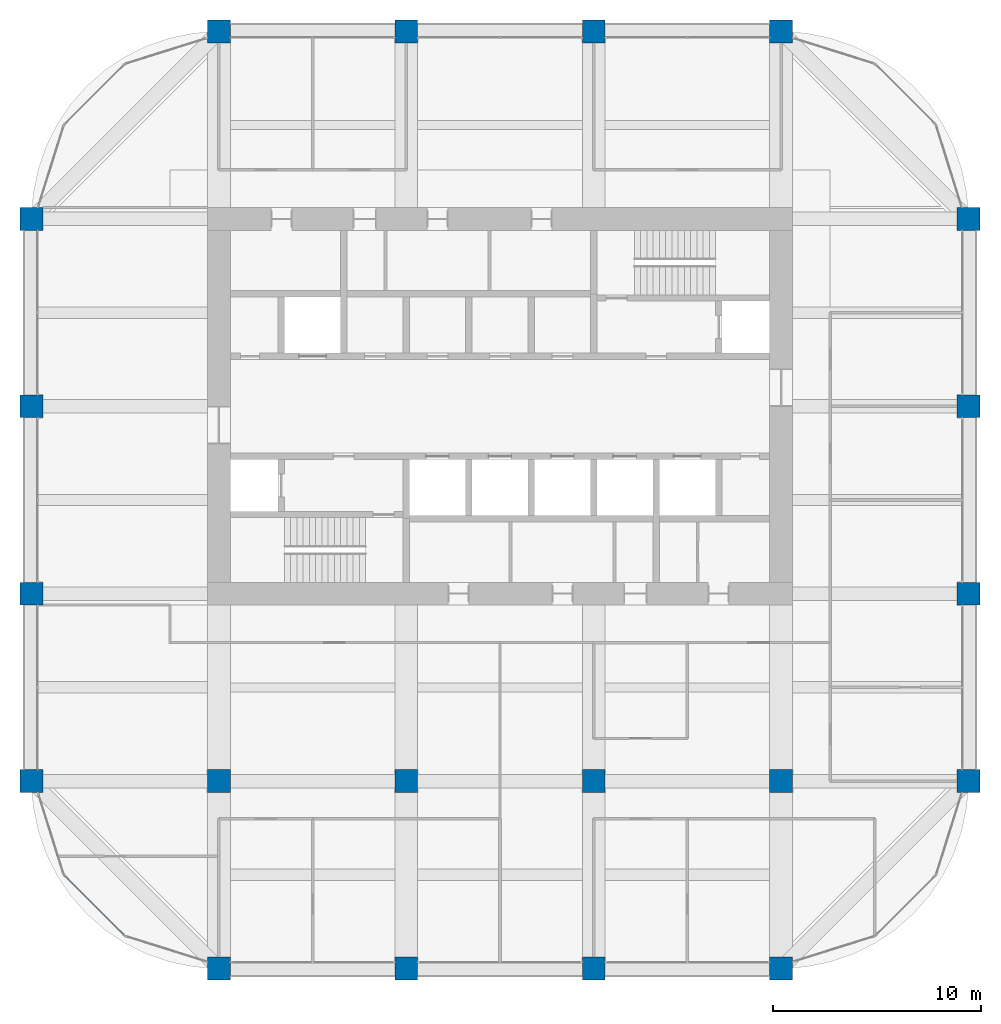
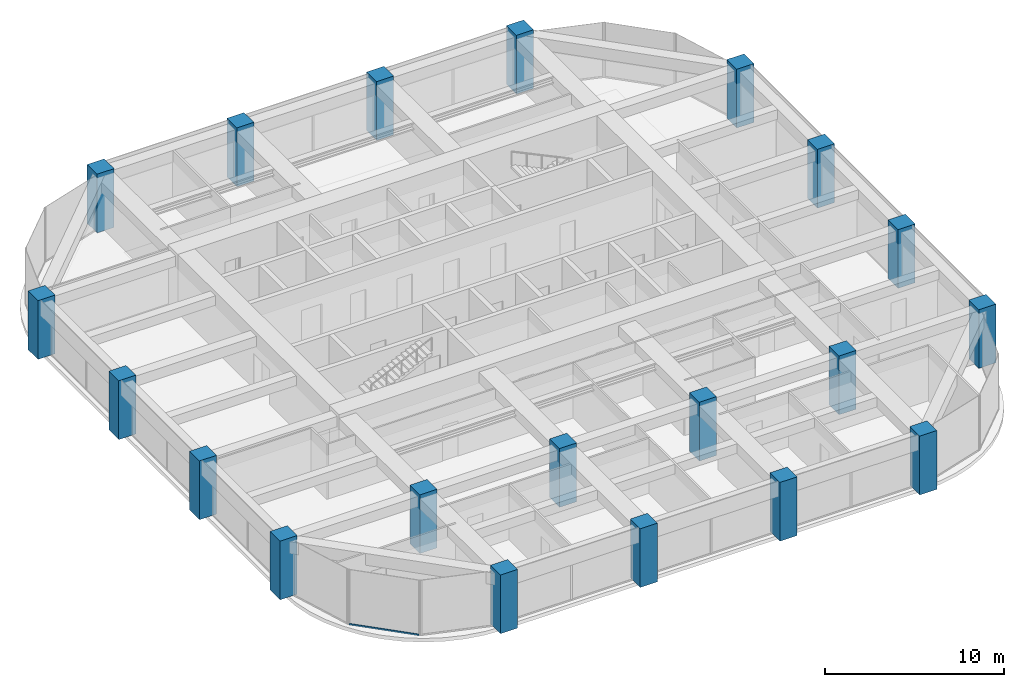
# One storey, part 1 of 44: 20 columns, 1 member, 1 element without a shape of its own.
"""IFC4 building model written with IfcOpenShell, lengths in metres."""

import ifcopenshell
import ifcopenshell.guid

model = None  # the IFC model being written
_history = None  # IfcOwnerHistory: only IFC2X3 demands one
_inside = {}  # id of a spatial element -> (the spatial element, [elements in it])
_under = {}  # id of a project, library or spatial element -> (it, [spatial elements below it])
_declared = {}  # id of a project -> (the project, [libraries it declares])
_typed = {}  # id of a type object -> (the type object, [elements of that type])
_made_of = {}  # id of a material, layer set ... -> (it, [elements and type objects made of it])


def new_model(schema):
    """Start an empty IFC model of exactly this schema.

    Asked for "IFC4X3", IfcOpenShell would pick the latest addendum, in which some entities
    have other attributes; the version numbers below select the first issue.
    IFC2X3 requires an IfcOwnerHistory on every rooted entity: one is made here for all.
    """
    global model, _history
    if schema == "IFC4X3":
        model = ifcopenshell.file(schema_version=(4, 3, 0, 0))
    else:
        model = ifcopenshell.file(schema=schema)
    _inside.clear()
    _under.clear()
    _declared.clear()
    _typed.clear()
    _made_of.clear()
    _history = None
    if model.schema == "IFC2X3":
        org = make("IfcOrganization", Name="unknown")
        user = make(
            "IfcPersonAndOrganization",
            ThePerson=make("IfcPerson", FamilyName="unknown"),
            TheOrganization=org,
        )
        app = make(
            "IfcApplication",
            ApplicationDeveloper=org,
            Version="unknown",
            ApplicationFullName="unknown",
            ApplicationIdentifier="unknown",
        )
        _history = make(
            "IfcOwnerHistory",
            OwningUser=user,
            OwningApplication=app,
            ChangeAction="ADDED",
            CreationDate=0,
        )
    return model


def make(cls, **values):
    """One entity of the class cls with the attributes given. An attribute that is None is left unset."""
    return model.create_entity(
        cls, **{name: value for name, value in values.items() if value is not None}
    )


def rooted(cls, **values):
    """An entity with a GlobalId (a new one), such as an element, a storey or a relation."""
    return make(cls, GlobalId=ifcopenshell.guid.new(), OwnerHistory=_history, **values)


def si_unit(unit_type, name, prefix=None):
    """IfcSIUnit, for example si_unit("LENGTHUNIT", "METRE", prefix="MILLI")."""
    return make("IfcSIUnit", UnitType=unit_type, Prefix=prefix, Name=name)


def assignment(units):
    """IfcUnitAssignment: the units of a project."""
    return None if units is None else make("IfcUnitAssignment", Units=units)


def point(xyz):
    """IfcCartesianPoint."""
    return None if xyz is None else make("IfcCartesianPoint", Coordinates=xyz)


def direction(xyz):
    """IfcDirection."""
    return None if xyz is None else make("IfcDirection", DirectionRatios=xyz)


def frame(location, z_axis=None, x_axis=None):
    """IfcAxis2Placement3D, a coordinate frame: its origin and axes. An axis left out is left unset."""
    return make(
        "IfcAxis2Placement3D",
        Location=point(location),
        Axis=direction(z_axis),
        RefDirection=direction(x_axis),
    )


def frame_2d(location, x_axis=None):
    """IfcAxis2Placement2D, a coordinate frame in the plane: its origin and x axis."""
    return make(
        "IfcAxis2Placement2D", Location=point(location), RefDirection=direction(x_axis)
    )


def origin():
    """The frame at (0, 0, 0) with its axes left unset."""
    return frame((0.0, 0.0, 0.0))


def origin_2d():
    """The frame at (0, 0) in the plane with its x axis left unset."""
    return frame_2d((0.0, 0.0))


def place(relative_to, where):
    """IfcLocalPlacement: puts the frame where relative to a parent placement (None: the world)."""
    return make(
        "IfcLocalPlacement", PlacementRelTo=relative_to, RelativePlacement=where
    )


def context(
    kind, dimensions, precision=None, world=None, true_north=None, identifier=None
):
    """IfcGeometricRepresentationContext, for example the 3D "Model" context."""
    return make(
        "IfcGeometricRepresentationContext",
        ContextIdentifier=identifier,
        ContextType=kind,
        CoordinateSpaceDimension=dimensions,
        Precision=precision,
        WorldCoordinateSystem=world,
        TrueNorth=true_north,
    )


def subcontext(parent, identifier, kind, view, scale=None):
    """IfcGeometricRepresentationSubContext, for example "Body" below "Model"."""
    return make(
        "IfcGeometricRepresentationSubContext",
        ContextIdentifier=identifier,
        ContextType=kind,
        ParentContext=parent,
        TargetScale=scale,
        TargetView=view,
    )


def project(units=None, contexts=None):
    """IfcProject with its units and contexts."""
    return rooted(
        "IfcProject",
        Name="project",
        RepresentationContexts=contexts,
        UnitsInContext=assignment(units),
    )


def spatial(cls, under=None, at=None, **own):
    """A site, building, storey or space (cls), placed at a placement, below another one or the project."""
    s = rooted(cls, ObjectPlacement=at, **own)
    if under is not None:
        _under.setdefault(under.id(), (under, []))[1].append(s)
    return s


def profile(cls, at=None, kind="AREA", **sizes):
    """A parametric profile (cls). Its sizes go by their IFC names, for example OverallWidth=200.0."""
    return make(cls, ProfileType=kind, Position=at, **sizes)


def rectangle(**sizes):
    """IfcRectangleProfileDef."""
    return profile("IfcRectangleProfileDef", **sizes)


def hollow_rectangle(**sizes):
    """IfcRectangleHollowProfileDef."""
    return profile("IfcRectangleHollowProfileDef", **sizes)


def extrude(swept, where, along, depth):
    """IfcExtrudedAreaSolid: the profile swept, set in the frame where, extruded along a direction by depth."""
    return make(
        "IfcExtrudedAreaSolid",
        SweptArea=swept,
        Position=where,
        ExtrudedDirection=direction(along),
        Depth=depth,
    )


def shape(context_of_items, identifier, shape_type, items):
    """IfcShapeRepresentation: the items that make up one representation, for example the "Body"."""
    return make(
        "IfcShapeRepresentation",
        ContextOfItems=context_of_items,
        RepresentationIdentifier=identifier,
        RepresentationType=shape_type,
        Items=items,
    )


def material(Name=None, Category=None):
    """IfcMaterial."""
    return make("IfcMaterial", Name=Name, Category=Category)


def material_profile(
    of_material, cross_section, Name=None, Category=None, Priority=None
):
    """IfcMaterialProfile: a cross section and its material."""
    return make(
        "IfcMaterialProfile",
        Name=Name,
        Material=of_material,
        Profile=cross_section,
        Priority=Priority,
        Category=Category,
    )


def profile_set(profiles, Name=None, composite=None):
    """IfcMaterialProfileSet."""
    return make(
        "IfcMaterialProfileSet",
        Name=Name,
        MaterialProfiles=profiles,
        CompositeProfile=composite,
    )


def made_of(thing, what):
    """Note that an element or type object is made of a material, layer set ...; save() writes the relation."""
    if what is not None:
        _made_of.setdefault(what.id(), (what, []))[1].append(thing)
    return thing


def type_object(cls, material=None, **own):
    """A type object (cls), such as IfcWallType, which elements share."""
    return made_of(rooted(cls, **own), material)


def element(
    cls,
    number,
    at=None,
    inside=None,
    cuts=None,
    type_object=None,
    material=None,
    context=None,
    identifier="Body",
    shape_type=None,
    held_by="IfcProductDefinitionShape",
    body=None,
    shapes=None,
    **own,
):
    """One element of the class cls, such as IfcWall. Its Tag is "e" and its number.

    at: its placement. inside: the storey or other place that contains it. cuts: it is an
    opening in that element (IfcRelVoidsElement). A single representation is given by context,
    identifier, shape_type and body (its items); several are given by shapes. held_by: the class
    of the entity that holds the representations. save() writes the other relations.
    """
    e = rooted(cls, Tag="e%d" % number, ObjectPlacement=at, **own)
    if body is not None:
        shapes = [shape(context, identifier, shape_type, body)]
    if shapes is not None:
        e.Representation = make(held_by, Representations=shapes)
    if inside is not None:
        _inside.setdefault(inside.id(), (inside, []))[1].append(e)
    if cuts is not None:
        rooted(
            "IfcRelVoidsElement", RelatingBuildingElement=cuts, RelatedOpeningElement=e
        )
    if type_object is not None:
        _typed.setdefault(type_object.id(), (type_object, []))[1].append(e)
    return made_of(e, material)


def aggregate(whole, parts):
    """IfcRelAggregates: a whole, such as a stair, and the parts it consists of."""
    return rooted("IfcRelAggregates", RelatingObject=whole, RelatedObjects=parts)


def save(model, path):
    """Write the relations noted so far, then the file.

    IfcRelAggregates (storeys below a building ...), IfcRelContainedInSpatialStructure (elements
    in a storey), IfcRelDefinesByType, IfcRelAssociatesMaterial and IfcRelDeclares: one each for
    every whole, place, type object, material and project.
    """
    for whole, parts in _under.values():
        aggregate(whole, parts)
    for where, things in _inside.values():
        rooted(
            "IfcRelContainedInSpatialStructure",
            RelatedElements=things,
            RelatingStructure=where,
        )
    for kind, things in _typed.values():
        rooted("IfcRelDefinesByType", RelatedObjects=things, RelatingType=kind)
    for what, things in _made_of.values():
        rooted("IfcRelAssociatesMaterial", RelatedObjects=things, RelatingMaterial=what)
    for by, libraries in _declared.values():
        rooted("IfcRelDeclares", RelatingContext=by, RelatedDefinitions=libraries)
    model.write(path)


model = new_model("IFC4")

# Units and contexts
model_context = context("Model", 3, precision=1e-05, world=origin(), true_north=direction((0.0, 1.0)))
body_context = subcontext(model_context, "Body", "Model", "MODEL_VIEW")
ifc_project = project(units=[si_unit("LENGTHUNIT", "METRE"), si_unit("AREAUNIT", "SQUARE_METRE"), si_unit("VOLUMEUNIT", "CUBIC_METRE"), si_unit("PLANEANGLEUNIT", "RADIAN"), si_unit("MASSUNIT", "GRAM", prefix="KILO")], contexts=[model_context])

# Site, building, storey
site_placement = place(None, origin())
site = spatial("IfcSite", under=ifc_project, at=site_placement, CompositionType="ELEMENT")
building_placement = place(site_placement, origin())
building = spatial("IfcBuilding", under=site, at=building_placement, Name="Zorevar Civic Tower", CompositionType="ELEMENT")
storey_placement = place(building_placement, frame((0.0, 0.0, 299.39990234375)))
storey = spatial("IfcBuildingStorey", under=building, at=storey_placement, Name="L73", CompositionType="ELEMENT", Elevation=299.39990234375)

# Columns
ifc_material_1 = material(Name="Concrete C50/60", Category="concrete")
ifc_material_profile_1 = material_profile(ifc_material_1, rectangle(XDim=1.10009765625, YDim=1.10009765625, at=origin_2d()), Name="RC 1100x1100")
ifc_profile_set_1 = profile_set([ifc_material_profile_1], Name="Concrete C50/60")
column_type = type_object("IfcColumnType", Name="Column RC 1100x1100", PredefinedType="COLUMN", material=ifc_profile_set_1)
for number, where, z_axis, x_axis, name in (
    (1, (9.0, 9.0, 0.0), (0.0, 0.0, 1.0), (1.0, 0.0, 0.0), "Column 3B L73"),
    (2, (9.0, 18.0, 0.0), (0.0, 0.0, 1.0), (1.0, 0.0, 0.0), "Column 3C L73"),
    (3, (9.0, 27.0, 0.0), (0.0, 0.0, 1.0), (1.0, 0.0, 0.0), "Column 3D L73"),
    (4, (9.0, 36.0, 0.0), (0.0, 0.0, 1.0), (1.0, 0.0, 0.0), "Column 3E L73"),
    (5, (18.0, 0.0, 0.0), (0.0, 0.0, 1.0), (1.0, 0.0, 0.0), "Column 4A L73"),
    (6, (18.0, 9.0, 0.0), (0.0, 0.0, 1.0), (1.0, 0.0, 0.0), "Column 4B L73"),
    (7, (18.0, 45.0, 0.0), (0.0, 0.0, 1.0), (1.0, 0.0, 0.0), "Column 4F L73"),
    (8, (27.0, 0.0, 0.0), (0.0, 0.0, 1.0), (1.0, 0.0, 0.0), "Column 5A L73"),
    (9, (27.0, 9.0, 0.0), (0.0, 0.0, 1.0), (1.0, 0.0, 0.0), "Column 5B L73"),
    (10, (27.0, 45.0, 0.0), (0.0, 0.0, 1.0), (1.0, 0.0, 0.0), "Column 5F L73"),
    (11, (36.0, 0.0, 0.0), (0.0, 0.0, 1.0), (1.0, 0.0, 0.0), "Column 6A L73"),
    (12, (36.0, 9.0, 0.0), (0.0, 0.0, 1.0), (1.0, 0.0, 0.0), "Column 6B L73"),
    (13, (36.0, 45.0, 0.0), (0.0, 0.0, 1.0), (1.0, 0.0, 0.0), "Column 6F L73"),
    (14, (45.0, 0.0, 0.0), (0.0, 0.0, 1.0), (1.0, 0.0, 0.0), "Column 7A L73"),
    (15, (45.0, 9.0, 0.0), (0.0, 0.0, 1.0), (1.0, 0.0, 0.0), "Column 7B L73"),
    (16, (45.0, 45.0, 0.0), (0.0, 0.0, 1.0), (1.0, 0.0, 0.0), "Column 7F L73"),
    (17, (54.0, 9.0, 0.0), (0.0, 0.0, 1.0), (1.0, 0.0, 0.0), "Column 8B L73"),
    (18, (54.0, 18.0, 0.0), (0.0, 0.0, 1.0), (1.0, 0.0, 0.0), "Column 8C L73"),
    (19, (54.0, 27.0, 0.0), (0.0, 0.0, 1.0), (1.0, 0.0, 0.0), "Column 8D L73"),
    (20, (54.0, 36.0, 0.0), (0.0, 0.0, 1.0), (1.0, 0.0, 0.0), "Column 8E L73"),
):
    element("IfcColumn", number, at=place(storey_placement, frame(where, z_axis=z_axis, x_axis=x_axis)), inside=storey, type_object=column_type, Name=name, PredefinedType="COLUMN", context=body_context, shape_type="SweptSolid", body=[
        extrude(rectangle(XDim=1.10009765625, YDim=1.10009765625, at=origin_2d()), origin(), (0.0, 0.0, 1.0), 4.0),
    ])

# Curtain wall, member
ifc_material_2 = material(Name="Dark grey solar-control glass in black aluminium frame", Category="aluminium")
curtain_wall_type = type_object("IfcCurtainWallType", Name="Curtain wall CW5 top zone", PredefinedType="NOTDEFINED", material=ifc_material_2)
curtain_wall_placement = place(storey_placement, origin())
curtain_wall = element("IfcCurtainWall", 21, at=curtain_wall_placement, inside=storey, type_object=curtain_wall_type, Name="CW5 L73", PredefinedType="NOTDEFINED")
ifc_material_3 = material(Name="Aluminium, black anodised", Category="aluminium")
ifc_material_profile_2 = material_profile(ifc_material_3, hollow_rectangle(XDim=0.06005859375, YDim=0.1201171875, WallThickness=0.0029296875, at=origin_2d()), Name="AL 120x60x3")
ifc_profile_set_2 = profile_set([ifc_material_profile_2], Name="Aluminium, black anodised")
member_type = type_object("IfcMemberType", Name="CW5 transom AL 120x60x3", PredefinedType="USERDEFINED", material=ifc_profile_set_2)
member_placement = place(storey_placement, frame((10.6015625, 4.44970703125, 0.030029296875), z_axis=(0.707106781187, -0.707106781187, 0.0), x_axis=(0.707106781187, 0.707106781187, 0.0)))
member = element("IfcMember", 22, at=member_placement, type_object=member_type, Name="CW5 sill transom", ObjectType="TRANSOM", PredefinedType="USERDEFINED", context=body_context, shape_type="SweptSolid", body=[
    extrude(hollow_rectangle(XDim=0.06005859375, YDim=0.1201171875, WallThickness=0.0029296875, at=origin_2d()), origin(), (0.0, 0.0, 1.0), 4.02783203125),
])
aggregate(curtain_wall, [member])

save(model, "model.ifc")
